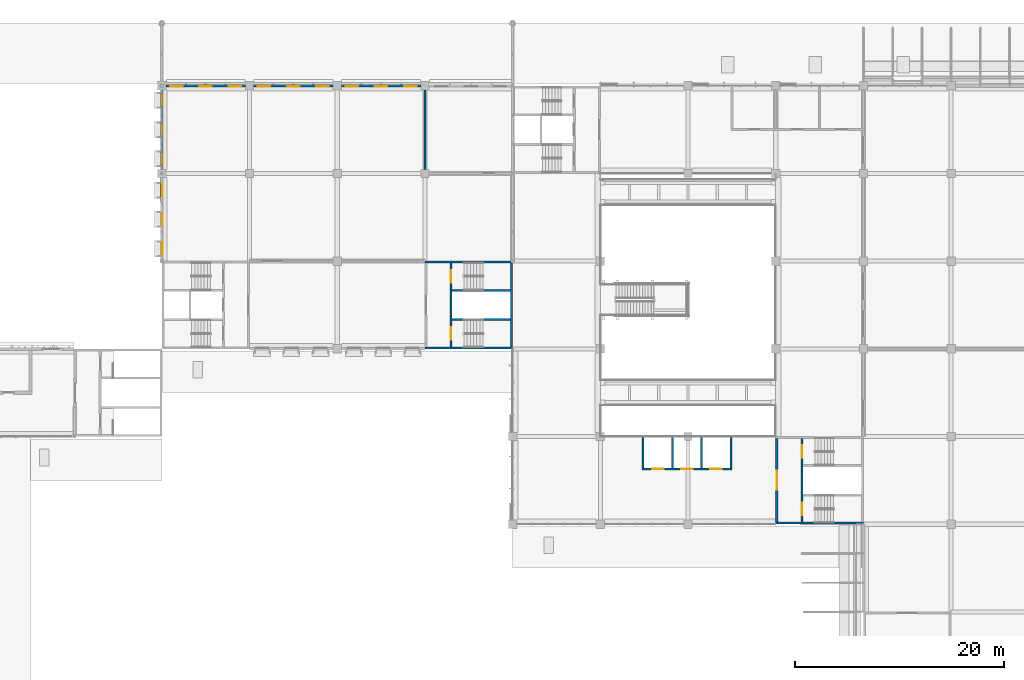
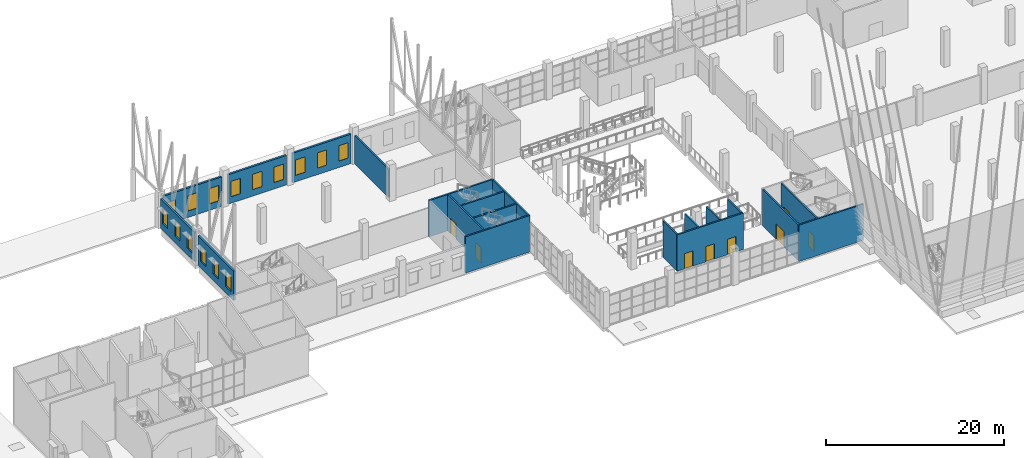
# One storey, part 36 of 101: 20 walls, 15 windows, 8 doors, 23 openings.
"""IFC4 building model written with IfcOpenShell, lengths in metres."""

from ifc_helpers import new_model, si_unit, direction, frame, frame_2d, origin, place, context, subcontext, project, spatial, rectangle, extrude, material, layer, layer_set, type_object, element, fill, save


model = new_model("IFC4")

# Units and contexts
model_context = context("Model", 3, precision=1e-05, world=origin(), true_north=direction((0.0, 1.0)))
body_context = subcontext(model_context, "Body", "Model", "MODEL_VIEW")
ifc_project = project(units=[si_unit("LENGTHUNIT", "METRE"), si_unit("AREAUNIT", "SQUARE_METRE"), si_unit("VOLUMEUNIT", "CUBIC_METRE"), si_unit("PLANEANGLEUNIT", "RADIAN"), si_unit("MASSUNIT", "GRAM", prefix="KILO")], contexts=[model_context])

# Site, building, storey
site_placement = place(None, origin())
site = spatial("IfcSite", under=ifc_project, at=site_placement, CompositionType="ELEMENT")
building_placement = place(site_placement, origin())
building = spatial("IfcBuilding", under=site, at=building_placement, Name="Almond Square Museum", CompositionType="ELEMENT")
storey_placement = place(building_placement, frame((0.0, 0.0, 5.5)))
storey = spatial("IfcBuildingStorey", under=building, at=storey_placement, Name="L01", CompositionType="ELEMENT", Elevation=5.5)

# Wall
ifc_material_1 = material(Name="Concrete blockwork 200", Category="masonry")
ifc_layer_1 = layer(ifc_material_1, 0.199951171875)
ifc_layer_set_1 = layer_set([ifc_layer_1], Name="Concrete blockwork 200")
wall_type_1 = type_object("IfcWallType", Name="Fire partition 200 blockwork", PredefinedType="PARTITIONING", material=ifc_layer_set_1)
wall_1_placement = place(storey_placement, frame((64.800048828125, 101.199951171875, 0.0), z_axis=(0.0, 0.0, 1.0), x_axis=(0.0, 1.0, 0.0)))
element("IfcWall", 1, at=wall_1_placement, inside=storey, type_object=wall_type_1, Name="L01 partition 2", PredefinedType="PARTITIONING", context=body_context, shape_type="SweptSolid", body=[
    extrude(rectangle(XDim=7.60009765625, YDim=0.199951171875, at=frame_2d((3.800048828125, 0.0))), origin(), (0.0, 0.0, 1.0), 3.89990234375),
])

# Wall, openings, windows
ifc_material_2 = material(Name="Precast concrete C40/50", Category="concrete")
ifc_layer_2 = layer(ifc_material_2, 0.25)
ifc_layer_set_2 = layer_set([ifc_layer_2], Name="Precast concrete C40/50")
wall_type_2 = type_object("IfcWallType", Name="Precast concrete panel wall 250 with coral limestone piers", PredefinedType="SOLIDWALL", material=ifc_layer_set_2)
wall_2_placement = place(storey_placement, frame((56.800048828125, 109.199951171875, 0.0), z_axis=(0.0, 0.0, 1.0), x_axis=(1.0, 0.0, 0.0)))
wall_2 = element("IfcWall", 2, at=wall_2_placement, inside=storey, type_object=wall_type_2, Name="External wall W2 V4N L01 N02", PredefinedType="SOLIDWALL", context=body_context, shape_type="SweptSolid", body=[
    extrude(rectangle(XDim=7.599853515625, YDim=0.25, at=frame_2d((3.7998046875, 0.0))), origin(), (0.0, 0.0, 1.0), 4.050048828125),
])
opening_1_placement = place(wall_2_placement, frame((0.39990234375, 0.0, 0.89990234375)))
opening_1 = element("IfcOpeningElement", 3, at=opening_1_placement, cuts=wall_2, Name="Opening W1087", PredefinedType="OPENING", context=body_context, shape_type="SweptSolid", body=[
    extrude(rectangle(XDim=1.199951171875, YDim=2.10009765625, at=frame_2d((0.60009765625, 1.050048828125))), frame((0.0, 0.135009765625, 0.0), z_axis=(0.0, -1.0, 0.0), x_axis=(1.0, 0.0, 0.0)), (0.0, 0.0, 1.0), 0.27001953125),
])
opening_2_placement = place(wall_2_placement, frame((3.199951171875, 0.0, 0.89990234375)))
opening_2 = element("IfcOpeningElement", 4, at=opening_2_placement, cuts=wall_2, Name="Opening W1088", PredefinedType="OPENING", context=body_context, shape_type="SweptSolid", body=[
    extrude(rectangle(XDim=1.199951171875, YDim=2.10009765625, at=frame_2d((0.60009765625, 1.050048828125))), frame((0.0, 0.135009765625, 0.0), z_axis=(0.0, -1.0, 0.0), x_axis=(1.0, 0.0, 0.0)), (0.0, 0.0, 1.0), 0.27001953125),
])
opening_3_placement = place(wall_2_placement, frame((6.0, 0.0, 0.89990234375)))
opening_3 = element("IfcOpeningElement", 5, at=opening_3_placement, cuts=wall_2, Name="Opening W1089", PredefinedType="OPENING", context=body_context, shape_type="SweptSolid", body=[
    extrude(rectangle(XDim=1.199951171875, YDim=2.10009765625, at=frame_2d((0.60009765625, 1.050048828125))), frame((0.0, 0.135009765625, 0.0), z_axis=(0.0, -1.0, 0.0), x_axis=(1.0, 0.0, 0.0)), (0.0, 0.0, 1.0), 0.27001953125),
])
ifc_material_3 = material(Name="Anodised aluminium louvre and laminated glass", Category="aluminium")
window_type = type_object("IfcWindowType", Name="Louvred pier window", PartitioningType="SINGLE_PANEL", PredefinedType="WINDOW", material=ifc_material_3)
window_1_placement = place(opening_1_placement, origin())
window_1 = element("IfcWindow", 6, at=window_1_placement, inside=storey, type_object=window_type, Name="Louvred pier window W1087", OverallHeight=2.10009765625, OverallWidth=1.199951171875, PartitioningType="SINGLE_PANEL", PredefinedType="WINDOW", context=body_context, shape_type="SweptSolid", body=[
    extrude(rectangle(XDim=1.199951171875, YDim=2.10009765625, at=frame_2d((0.60009765625, 1.050048828125))), frame((0.0, -0.044921875, 0.0), z_axis=(0.0, -1.0, 0.0), x_axis=(1.0, 0.0, 0.0)), (0.0, 0.0, 1.0), 0.06005859375),
])
fill(opening_1, window_1)
window_2_placement = place(opening_2_placement, origin())
window_2 = element("IfcWindow", 7, at=window_2_placement, inside=storey, type_object=window_type, Name="Louvred pier window W1088", OverallHeight=2.10009765625, OverallWidth=1.199951171875, PartitioningType="SINGLE_PANEL", PredefinedType="WINDOW", context=body_context, shape_type="SweptSolid", body=[
    extrude(rectangle(XDim=1.199951171875, YDim=2.10009765625, at=frame_2d((0.60009765625, 1.050048828125))), frame((0.0, -0.044921875, 0.0), z_axis=(0.0, -1.0, 0.0), x_axis=(1.0, 0.0, 0.0)), (0.0, 0.0, 1.0), 0.06005859375),
])
fill(opening_2, window_2)
window_3_placement = place(opening_3_placement, origin())
window_3 = element("IfcWindow", 8, at=window_3_placement, inside=storey, type_object=window_type, Name="Louvred pier window W1089", OverallHeight=2.10009765625, OverallWidth=1.199951171875, PartitioningType="SINGLE_PANEL", PredefinedType="WINDOW", context=body_context, shape_type="SweptSolid", body=[
    extrude(rectangle(XDim=1.199951171875, YDim=2.10009765625, at=frame_2d((0.60009765625, 1.050048828125))), frame((0.0, -0.044921875, 0.0), z_axis=(0.0, -1.0, 0.0), x_axis=(1.0, 0.0, 0.0)), (0.0, 0.0, 1.0), 0.06005859375),
])
fill(opening_3, window_3)

wall_3_placement = place(storey_placement, frame((48.39990234375, 109.199951171875, 0.0), z_axis=(0.0, 0.0, 1.0), x_axis=(1.0, 0.0, 0.0)))
wall_3 = element("IfcWall", 9, at=wall_3_placement, inside=storey, type_object=wall_type_2, Name="External wall W2 V4N L01 N03", PredefinedType="SOLIDWALL", context=body_context, shape_type="SweptSolid", body=[
    extrude(rectangle(XDim=7.60009765625, YDim=0.25, at=frame_2d((3.800048828125, 0.0))), origin(), (0.0, 0.0, 1.0), 4.050048828125),
])
opening_4_placement = place(wall_3_placement, frame((0.39990234375, 0.0, 0.89990234375)))
opening_4 = element("IfcOpeningElement", 10, at=opening_4_placement, cuts=wall_3, Name="Opening W1090", PredefinedType="OPENING", context=body_context, shape_type="SweptSolid", body=[
    extrude(rectangle(XDim=1.199951171875, YDim=2.10009765625, at=frame_2d((0.60009765625, 1.050048828125))), frame((0.0, 0.135009765625, 0.0), z_axis=(0.0, -1.0, 0.0), x_axis=(1.0, 0.0, 0.0)), (0.0, 0.0, 1.0), 0.27001953125),
])
opening_5_placement = place(wall_3_placement, frame((3.199951171875, 0.0, 0.89990234375)))
opening_5 = element("IfcOpeningElement", 11, at=opening_5_placement, cuts=wall_3, Name="Opening W1091", PredefinedType="OPENING", context=body_context, shape_type="SweptSolid", body=[
    extrude(rectangle(XDim=1.199951171875, YDim=2.10009765625, at=frame_2d((0.60009765625, 1.050048828125))), frame((0.0, 0.135009765625, 0.0), z_axis=(0.0, -1.0, 0.0), x_axis=(1.0, 0.0, 0.0)), (0.0, 0.0, 1.0), 0.27001953125),
])
opening_6_placement = place(wall_3_placement, frame((6.0, 0.0, 0.89990234375)))
opening_6 = element("IfcOpeningElement", 12, at=opening_6_placement, cuts=wall_3, Name="Opening W1092", PredefinedType="OPENING", context=body_context, shape_type="SweptSolid", body=[
    extrude(rectangle(XDim=1.199951171875, YDim=2.10009765625, at=frame_2d((0.60009765625, 1.050048828125))), frame((0.0, 0.135009765625, 0.0), z_axis=(0.0, -1.0, 0.0), x_axis=(1.0, 0.0, 0.0)), (0.0, 0.0, 1.0), 0.27001953125),
])
window_4_placement = place(opening_4_placement, origin())
window_4 = element("IfcWindow", 13, at=window_4_placement, inside=storey, type_object=window_type, Name="Louvred pier window W1090", OverallHeight=2.10009765625, OverallWidth=1.199951171875, PartitioningType="SINGLE_PANEL", PredefinedType="WINDOW", context=body_context, shape_type="SweptSolid", body=[
    extrude(rectangle(XDim=1.199951171875, YDim=2.10009765625, at=frame_2d((0.60009765625, 1.050048828125))), frame((0.0, -0.044921875, 0.0), z_axis=(0.0, -1.0, 0.0), x_axis=(1.0, 0.0, 0.0)), (0.0, 0.0, 1.0), 0.06005859375),
])
fill(opening_4, window_4)
window_5_placement = place(opening_5_placement, origin())
window_5 = element("IfcWindow", 14, at=window_5_placement, inside=storey, type_object=window_type, Name="Louvred pier window W1091", OverallHeight=2.10009765625, OverallWidth=1.199951171875, PartitioningType="SINGLE_PANEL", PredefinedType="WINDOW", context=body_context, shape_type="SweptSolid", body=[
    extrude(rectangle(XDim=1.199951171875, YDim=2.10009765625, at=frame_2d((0.60009765625, 1.050048828125))), frame((0.0, -0.044921875, 0.0), z_axis=(0.0, -1.0, 0.0), x_axis=(1.0, 0.0, 0.0)), (0.0, 0.0, 1.0), 0.06005859375),
])
fill(opening_5, window_5)
window_6_placement = place(opening_6_placement, origin())
window_6 = element("IfcWindow", 15, at=window_6_placement, inside=storey, type_object=window_type, Name="Louvred pier window W1092", OverallHeight=2.10009765625, OverallWidth=1.199951171875, PartitioningType="SINGLE_PANEL", PredefinedType="WINDOW", context=body_context, shape_type="SweptSolid", body=[
    extrude(rectangle(XDim=1.199951171875, YDim=2.10009765625, at=frame_2d((0.60009765625, 1.050048828125))), frame((0.0, -0.044921875, 0.0), z_axis=(0.0, -1.0, 0.0), x_axis=(1.0, 0.0, 0.0)), (0.0, 0.0, 1.0), 0.06005859375),
])
fill(opening_6, window_6)

wall_4_placement = place(storey_placement, frame((40.0, 109.199951171875, 0.0), z_axis=(0.0, 0.0, 1.0), x_axis=(1.0, 0.0, 0.0)))
wall_4 = element("IfcWall", 16, at=wall_4_placement, inside=storey, type_object=wall_type_2, Name="External wall W2 V4N L01 N04", PredefinedType="SOLIDWALL", context=body_context, shape_type="SweptSolid", body=[
    extrude(rectangle(XDim=7.60009765625, YDim=0.25, at=frame_2d((3.800048828125, 0.0))), origin(), (0.0, 0.0, 1.0), 4.050048828125),
])
opening_7_placement = place(wall_4_placement, frame((0.39990234375, 0.0, 0.89990234375)))
opening_7 = element("IfcOpeningElement", 17, at=opening_7_placement, cuts=wall_4, Name="Opening W1093", PredefinedType="OPENING", context=body_context, shape_type="SweptSolid", body=[
    extrude(rectangle(XDim=1.199951171875, YDim=2.10009765625, at=frame_2d((0.60009765625, 1.050048828125))), frame((0.0, 0.135009765625, 0.0), z_axis=(0.0, -1.0, 0.0), x_axis=(1.0, 0.0, 0.0)), (0.0, 0.0, 1.0), 0.27001953125),
])
opening_8_placement = place(wall_4_placement, frame((3.199951171875, 0.0, 0.89990234375)))
opening_8 = element("IfcOpeningElement", 18, at=opening_8_placement, cuts=wall_4, Name="Opening W1094", PredefinedType="OPENING", context=body_context, shape_type="SweptSolid", body=[
    extrude(rectangle(XDim=1.199951171875, YDim=2.10009765625, at=frame_2d((0.60009765625, 1.050048828125))), frame((0.0, 0.135009765625, 0.0), z_axis=(0.0, -1.0, 0.0), x_axis=(1.0, 0.0, 0.0)), (0.0, 0.0, 1.0), 0.27001953125),
])
opening_9_placement = place(wall_4_placement, frame((6.0, 0.0, 0.89990234375)))
opening_9 = element("IfcOpeningElement", 19, at=opening_9_placement, cuts=wall_4, Name="Opening W1095", PredefinedType="OPENING", context=body_context, shape_type="SweptSolid", body=[
    extrude(rectangle(XDim=1.199951171875, YDim=2.10009765625, at=frame_2d((0.60009765625, 1.050048828125))), frame((0.0, 0.135009765625, 0.0), z_axis=(0.0, -1.0, 0.0), x_axis=(1.0, 0.0, 0.0)), (0.0, 0.0, 1.0), 0.27001953125),
])
window_7_placement = place(opening_7_placement, origin())
window_7 = element("IfcWindow", 20, at=window_7_placement, inside=storey, type_object=window_type, Name="Louvred pier window W1093", OverallHeight=2.10009765625, OverallWidth=1.199951171875, PartitioningType="SINGLE_PANEL", PredefinedType="WINDOW", context=body_context, shape_type="SweptSolid", body=[
    extrude(rectangle(XDim=1.199951171875, YDim=2.10009765625, at=frame_2d((0.60009765625, 1.050048828125))), frame((0.0, -0.044921875, 0.0), z_axis=(0.0, -1.0, 0.0), x_axis=(1.0, 0.0, 0.0)), (0.0, 0.0, 1.0), 0.06005859375),
])
fill(opening_7, window_7)
window_8_placement = place(opening_8_placement, origin())
window_8 = element("IfcWindow", 21, at=window_8_placement, inside=storey, type_object=window_type, Name="Louvred pier window W1094", OverallHeight=2.10009765625, OverallWidth=1.199951171875, PartitioningType="SINGLE_PANEL", PredefinedType="WINDOW", context=body_context, shape_type="SweptSolid", body=[
    extrude(rectangle(XDim=1.199951171875, YDim=2.10009765625, at=frame_2d((0.60009765625, 1.050048828125))), frame((0.0, -0.044921875, 0.0), z_axis=(0.0, -1.0, 0.0), x_axis=(1.0, 0.0, 0.0)), (0.0, 0.0, 1.0), 0.06005859375),
])
fill(opening_8, window_8)
window_9_placement = place(opening_9_placement, origin())
window_9 = element("IfcWindow", 22, at=window_9_placement, inside=storey, type_object=window_type, Name="Louvred pier window W1095", OverallHeight=2.10009765625, OverallWidth=1.199951171875, PartitioningType="SINGLE_PANEL", PredefinedType="WINDOW", context=body_context, shape_type="SweptSolid", body=[
    extrude(rectangle(XDim=1.199951171875, YDim=2.10009765625, at=frame_2d((0.60009765625, 1.050048828125))), frame((0.0, -0.044921875, 0.0), z_axis=(0.0, -1.0, 0.0), x_axis=(1.0, 0.0, 0.0)), (0.0, 0.0, 1.0), 0.06005859375),
])
fill(opening_9, window_9)

wall_5_placement = place(storey_placement, frame((39.60009765625, 101.199951171875, 0.0), z_axis=(0.0, 0.0, 1.0), x_axis=(0.0, 1.0, 0.0)))
wall_5 = element("IfcWall", 23, at=wall_5_placement, inside=storey, type_object=wall_type_2, Name="External wall W2 V4N L01 W01", PredefinedType="SOLIDWALL", context=body_context, shape_type="SweptSolid", body=[
    extrude(rectangle(XDim=7.60009765625, YDim=0.25, at=frame_2d((3.800048828125, 0.0))), origin(), (0.0, 0.0, 1.0), 4.050048828125),
])
opening_10_placement = place(wall_5_placement, frame((0.39990234375, 0.0, 0.89990234375)))
opening_10 = element("IfcOpeningElement", 24, at=opening_10_placement, cuts=wall_5, Name="Opening W1096", PredefinedType="OPENING", context=body_context, shape_type="SweptSolid", body=[
    extrude(rectangle(XDim=1.199951171875, YDim=2.10009765625, at=frame_2d((0.60009765625, 1.050048828125))), frame((0.0, 0.135009765625, 0.0), z_axis=(0.0, -1.0, 0.0), x_axis=(1.0, 0.0, 0.0)), (0.0, 0.0, 1.0), 0.27001953125),
])
opening_11_placement = place(wall_5_placement, frame((3.199951171875, 0.0, 0.89990234375)))
opening_11 = element("IfcOpeningElement", 25, at=opening_11_placement, cuts=wall_5, Name="Opening W1097", PredefinedType="OPENING", context=body_context, shape_type="SweptSolid", body=[
    extrude(rectangle(XDim=1.199951171875, YDim=2.10009765625, at=frame_2d((0.60009765625, 1.050048828125))), frame((0.0, 0.135009765625, 0.0), z_axis=(0.0, -1.0, 0.0), x_axis=(1.0, 0.0, 0.0)), (0.0, 0.0, 1.0), 0.27001953125),
])
opening_12_placement = place(wall_5_placement, frame((6.0, 0.0, 0.89990234375)))
opening_12 = element("IfcOpeningElement", 26, at=opening_12_placement, cuts=wall_5, Name="Opening W1098", PredefinedType="OPENING", context=body_context, shape_type="SweptSolid", body=[
    extrude(rectangle(XDim=1.199951171875, YDim=2.10009765625, at=frame_2d((0.60009765625, 1.050048828125))), frame((0.0, 0.135009765625, 0.0), z_axis=(0.0, -1.0, 0.0), x_axis=(1.0, 0.0, 0.0)), (0.0, 0.0, 1.0), 0.27001953125),
])
window_10_placement = place(opening_10_placement, origin())
window_10 = element("IfcWindow", 27, at=window_10_placement, inside=storey, type_object=window_type, Name="Louvred pier window W1096", OverallHeight=2.10009765625, OverallWidth=1.199951171875, PartitioningType="SINGLE_PANEL", PredefinedType="WINDOW", context=body_context, shape_type="SweptSolid", body=[
    extrude(rectangle(XDim=1.199951171875, YDim=2.10009765625, at=frame_2d((0.60009765625, 1.050048828125))), frame((0.0, -0.044921875, 0.0), z_axis=(0.0, -1.0, 0.0), x_axis=(1.0, 0.0, 0.0)), (0.0, 0.0, 1.0), 0.06005859375),
])
fill(opening_10, window_10)
window_11_placement = place(opening_11_placement, origin())
window_11 = element("IfcWindow", 28, at=window_11_placement, inside=storey, type_object=window_type, Name="Louvred pier window W1097", OverallHeight=2.10009765625, OverallWidth=1.199951171875, PartitioningType="SINGLE_PANEL", PredefinedType="WINDOW", context=body_context, shape_type="SweptSolid", body=[
    extrude(rectangle(XDim=1.199951171875, YDim=2.10009765625, at=frame_2d((0.60009765625, 1.050048828125))), frame((0.0, -0.044921875, 0.0), z_axis=(0.0, -1.0, 0.0), x_axis=(1.0, 0.0, 0.0)), (0.0, 0.0, 1.0), 0.06005859375),
])
fill(opening_11, window_11)
window_12_placement = place(opening_12_placement, origin())
window_12 = element("IfcWindow", 29, at=window_12_placement, inside=storey, type_object=window_type, Name="Louvred pier window W1098", OverallHeight=2.10009765625, OverallWidth=1.199951171875, PartitioningType="SINGLE_PANEL", PredefinedType="WINDOW", context=body_context, shape_type="SweptSolid", body=[
    extrude(rectangle(XDim=1.199951171875, YDim=2.10009765625, at=frame_2d((0.60009765625, 1.050048828125))), frame((0.0, -0.044921875, 0.0), z_axis=(0.0, -1.0, 0.0), x_axis=(1.0, 0.0, 0.0)), (0.0, 0.0, 1.0), 0.06005859375),
])
fill(opening_12, window_12)

wall_6_placement = place(storey_placement, frame((39.60009765625, 92.39990234375, 0.0), z_axis=(0.0, 0.0, 1.0), x_axis=(0.0, 1.0, 0.0)))
wall_6 = element("IfcWall", 30, at=wall_6_placement, inside=storey, type_object=wall_type_2, Name="External wall W2 V4N L01 W02", PredefinedType="SOLIDWALL", context=body_context, shape_type="SweptSolid", body=[
    extrude(rectangle(XDim=8.0, YDim=0.25, at=frame_2d((4.0, 0.0))), origin(), (0.0, 0.0, 1.0), 4.050048828125),
])
opening_13_placement = place(wall_6_placement, frame((0.60009765625, 0.0, 0.89990234375)))
opening_13 = element("IfcOpeningElement", 31, at=opening_13_placement, cuts=wall_6, Name="Opening W1099", PredefinedType="OPENING", context=body_context, shape_type="SweptSolid", body=[
    extrude(rectangle(XDim=1.199951171875, YDim=2.10009765625, at=frame_2d((0.60009765625, 1.050048828125))), frame((0.0, 0.135009765625, 0.0), z_axis=(0.0, -1.0, 0.0), x_axis=(1.0, 0.0, 0.0)), (0.0, 0.0, 1.0), 0.27001953125),
])
opening_14_placement = place(wall_6_placement, frame((3.39990234375, 0.0, 0.89990234375)))
opening_14 = element("IfcOpeningElement", 32, at=opening_14_placement, cuts=wall_6, Name="Opening W1100", PredefinedType="OPENING", context=body_context, shape_type="SweptSolid", body=[
    extrude(rectangle(XDim=1.199951171875, YDim=2.10009765625, at=frame_2d((0.60009765625, 1.050048828125))), frame((0.0, 0.135009765625, 0.0), z_axis=(0.0, -1.0, 0.0), x_axis=(1.0, 0.0, 0.0)), (0.0, 0.0, 1.0), 0.27001953125),
])
opening_15_placement = place(wall_6_placement, frame((6.199951171875, 0.0, 0.89990234375)))
opening_15 = element("IfcOpeningElement", 33, at=opening_15_placement, cuts=wall_6, Name="Opening W1101", PredefinedType="OPENING", context=body_context, shape_type="SweptSolid", body=[
    extrude(rectangle(XDim=1.199951171875, YDim=2.10009765625, at=frame_2d((0.60009765625, 1.050048828125))), frame((0.0, 0.135009765625, 0.0), z_axis=(0.0, -1.0, 0.0), x_axis=(1.0, 0.0, 0.0)), (0.0, 0.0, 1.0), 0.27001953125),
])
window_13_placement = place(opening_13_placement, origin())
window_13 = element("IfcWindow", 34, at=window_13_placement, inside=storey, type_object=window_type, Name="Louvred pier window W1099", OverallHeight=2.10009765625, OverallWidth=1.199951171875, PartitioningType="SINGLE_PANEL", PredefinedType="WINDOW", context=body_context, shape_type="SweptSolid", body=[
    extrude(rectangle(XDim=1.199951171875, YDim=2.10009765625, at=frame_2d((0.60009765625, 1.050048828125))), frame((0.0, -0.044921875, 0.0), z_axis=(0.0, -1.0, 0.0), x_axis=(1.0, 0.0, 0.0)), (0.0, 0.0, 1.0), 0.06005859375),
])
fill(opening_13, window_13)
window_14_placement = place(opening_14_placement, origin())
window_14 = element("IfcWindow", 35, at=window_14_placement, inside=storey, type_object=window_type, Name="Louvred pier window W1100", OverallHeight=2.10009765625, OverallWidth=1.199951171875, PartitioningType="SINGLE_PANEL", PredefinedType="WINDOW", context=body_context, shape_type="SweptSolid", body=[
    extrude(rectangle(XDim=1.199951171875, YDim=2.10009765625, at=frame_2d((0.60009765625, 1.050048828125))), frame((0.0, -0.044921875, 0.0), z_axis=(0.0, -1.0, 0.0), x_axis=(1.0, 0.0, 0.0)), (0.0, 0.0, 1.0), 0.06005859375),
])
fill(opening_14, window_14)
window_15_placement = place(opening_15_placement, origin())
window_15 = element("IfcWindow", 36, at=window_15_placement, inside=storey, type_object=window_type, Name="Louvred pier window W1101", OverallHeight=2.10009765625, OverallWidth=1.199951171875, PartitioningType="SINGLE_PANEL", PredefinedType="WINDOW", context=body_context, shape_type="SweptSolid", body=[
    extrude(rectangle(XDim=1.199951171875, YDim=2.10009765625, at=frame_2d((0.60009765625, 1.050048828125))), frame((0.0, -0.044921875, 0.0), z_axis=(0.0, -1.0, 0.0), x_axis=(1.0, 0.0, 0.0)), (0.0, 0.0, 1.0), 0.06005859375),
])
fill(opening_15, window_15)

# Wall
ifc_material_4 = material(Name="Concrete C40/50", Category="concrete")
ifc_layer_3 = layer(ifc_material_4, 0.199951171875)
ifc_layer_set_3 = layer_set([ifc_layer_3], Name="Concrete C40/50")
wall_type_3 = type_object("IfcWallType", Name="RC shear wall 200 C40/50", PredefinedType="SHEAR", material=ifc_layer_set_3)
wall_7_placement = place(storey_placement, frame((98.39990234375, 67.300048828125, 0.0), z_axis=(0.0, 0.0, 1.0), x_axis=(1.0, 0.0, 0.0)))
element("IfcWall", 37, at=wall_7_placement, inside=storey, type_object=wall_type_3, Name="Core A2 south wall L01", PredefinedType="SHEAR", context=body_context, shape_type="SweptSolid", body=[
    extrude(rectangle(XDim=8.400146484375, YDim=0.199951171875, at=frame_2d((4.2001953125, 0.0))), origin(), (0.0, 0.0, 1.0), 5.0),
])

# Wall, opening, door
wall_8_placement = place(storey_placement, frame((98.5, 67.39990234375, 0.0), z_axis=(0.0, 0.0, 1.0), x_axis=(0.0, 1.0, 0.0)))
wall_8 = element("IfcWall", 38, at=wall_8_placement, inside=storey, type_object=wall_type_3, Name="Core A2 west wall L01", PredefinedType="SHEAR", context=body_context, shape_type="SweptSolid", body=[
    extrude(rectangle(XDim=8.0, YDim=0.199951171875, at=frame_2d((4.0, 0.0))), origin(), (0.0, 0.0, 1.0), 5.0),
])
opening_16_placement = place(wall_8_placement, frame((3.10009765625, 0.0, 0.0)))
opening_16 = element("IfcOpeningElement", 39, at=opening_16_placement, cuts=wall_8, Name="Opening D1169", PredefinedType="OPENING", context=body_context, shape_type="SweptSolid", body=[
    extrude(rectangle(XDim=1.800048828125, YDim=2.10009765625, at=frame_2d((0.89990234375, 1.050048828125))), frame((0.0, 0.10986328125, 0.0), z_axis=(0.0, -1.0, 0.0), x_axis=(1.0, 0.0, 0.0)), (0.0, 0.0, 1.0), 0.219970703125),
])
ifc_material_5 = material(Name="Steel", Category="steel")
door_type_1 = type_object("IfcDoorType", Name="Fire door 1800 x 2100 FD60 double", OperationType="NOTDEFINED", PredefinedType="DOOR", material=ifc_material_5)
door_1_placement = place(opening_16_placement, origin())
door_1 = element("IfcDoor", 40, at=door_1_placement, inside=storey, type_object=door_type_1, Name="L01 stair core A2 lobby door", OperationType="DOUBLE_DOOR_SINGLE_SWING", OverallHeight=2.10009765625, OverallWidth=1.800048828125, PredefinedType="DOOR", context=body_context, shape_type="SweptSolid", body=[
    extrude(rectangle(XDim=1.800048828125, YDim=2.10009765625, at=frame_2d((0.89990234375, 1.050048828125))), frame((0.0, 0.02490234375, 0.0), z_axis=(0.0, -1.0, 0.0), x_axis=(1.0, 0.0, 0.0)), (0.0, 0.0, 1.0), 0.050048828125),
])
fill(opening_16, door_1)

# Wall, openings, doors
wall_9_placement = place(storey_placement, frame((100.89990234375, 67.39990234375, 0.0), z_axis=(0.0, 0.0, 1.0), x_axis=(0.0, 1.0, 0.0)))
wall_9 = element("IfcWall", 41, at=wall_9_placement, inside=storey, type_object=wall_type_3, Name="Core A2 lobby wall L01", PredefinedType="SHEAR", context=body_context, shape_type="SweptSolid", body=[
    extrude(rectangle(XDim=8.0, YDim=0.199951171875, at=frame_2d((4.0, 0.0))), origin(), (0.0, 0.0, 1.0), 5.0),
])
opening_17_placement = place(wall_9_placement, frame((0.64990234375, 0.0, 0.0)))
opening_17 = element("IfcOpeningElement", 42, at=opening_17_placement, cuts=wall_9, Name="Opening D1170", PredefinedType="OPENING", context=body_context, shape_type="SweptSolid", body=[
    extrude(rectangle(XDim=1.199951171875, YDim=2.10009765625, at=frame_2d((0.60009765625, 1.050048828125))), frame((0.0, 0.10986328125, 0.0), z_axis=(0.0, -1.0, 0.0), x_axis=(1.0, 0.0, 0.0)), (0.0, 0.0, 1.0), 0.219970703125),
])
opening_18_placement = place(wall_9_placement, frame((6.14990234375, 0.0, 0.0)))
opening_18 = element("IfcOpeningElement", 43, at=opening_18_placement, cuts=wall_9, Name="Opening D1171", PredefinedType="OPENING", context=body_context, shape_type="SweptSolid", body=[
    extrude(rectangle(XDim=1.199951171875, YDim=2.10009765625, at=frame_2d((0.60009765625, 1.050048828125))), frame((0.0, 0.10986328125, 0.0), z_axis=(0.0, -1.0, 0.0), x_axis=(1.0, 0.0, 0.0)), (0.0, 0.0, 1.0), 0.219970703125),
])
ifc_material_6 = material(Name="Steel", Category="steel")
door_type_2 = type_object("IfcDoorType", Name="Fire door 1200 x 2100 FD120 stair", OperationType="NOTDEFINED", PredefinedType="DOOR", material=ifc_material_6)
door_2_placement = place(opening_17_placement, origin())
door_2 = element("IfcDoor", 44, at=door_2_placement, inside=storey, type_object=door_type_2, Name="L01 stair A2-1 door", OperationType="SINGLE_SWING_LEFT", OverallHeight=2.10009765625, OverallWidth=1.199951171875, PredefinedType="DOOR", context=body_context, shape_type="SweptSolid", body=[
    extrude(rectangle(XDim=1.199951171875, YDim=2.10009765625, at=frame_2d((0.60009765625, 1.050048828125))), frame((0.0, 0.02490234375, 0.0), z_axis=(0.0, -1.0, 0.0), x_axis=(1.0, 0.0, 0.0)), (0.0, 0.0, 1.0), 0.050048828125),
])
fill(opening_17, door_2)
door_3_placement = place(opening_18_placement, origin())
door_3 = element("IfcDoor", 45, at=door_3_placement, inside=storey, type_object=door_type_2, Name="L01 stair A2-2 door", OperationType="SINGLE_SWING_RIGHT", OverallHeight=2.10009765625, OverallWidth=1.199951171875, PredefinedType="DOOR", context=body_context, shape_type="SweptSolid", body=[
    extrude(rectangle(XDim=1.199951171875, YDim=2.10009765625, at=frame_2d((0.60009765625, 1.050048828125))), frame((0.0, 0.02490234375, 0.0), z_axis=(0.0, -1.0, 0.0), x_axis=(1.0, 0.0, 0.0)), (0.0, 0.0, 1.0), 0.050048828125),
])
fill(opening_18, door_3)

# Walls
for number, where, z_axis, x_axis, name in (
    (46, (64.800048828125, 84.10009765625, 0.0), (0.0, 0.0, 1.0), (1.0, 0.0, 0.0), "Core N2 south wall L01"),
    (47, (64.800048828125, 92.300048828125, 0.0), (0.0, 0.0, 1.0), (1.0, 0.0, 0.0), "Core N2 north wall L01"),
):
    element("IfcWall", number, at=place(storey_placement, frame(where, z_axis=z_axis, x_axis=x_axis)), inside=storey, type_object=wall_type_3, Name=name, PredefinedType="SHEAR", context=body_context, shape_type="SweptSolid", body=[
        extrude(rectangle(XDim=8.39990234375, YDim=0.199951171875, at=frame_2d((4.199951171875, 0.0))), origin(), (0.0, 0.0, 1.0), 5.0),
    ])
wall_10_placement = place(storey_placement, frame((73.10009765625, 84.199951171875, 0.0), z_axis=(0.0, 0.0, 1.0), x_axis=(0.0, 1.0, 0.0)))
element("IfcWall", 48, at=wall_10_placement, inside=storey, type_object=wall_type_3, Name="Core N2 east wall L01", PredefinedType="SHEAR", context=body_context, shape_type="SweptSolid", body=[
    extrude(rectangle(XDim=8.0, YDim=0.199951171875, at=frame_2d((4.0, 0.0))), origin(), (0.0, 0.0, 1.0), 5.0),
])

# Wall, openings, doors
wall_11_placement = place(storey_placement, frame((67.300048828125, 84.199951171875, 0.0), z_axis=(0.0, 0.0, 1.0), x_axis=(0.0, 1.0, 0.0)))
wall_11 = element("IfcWall", 49, at=wall_11_placement, inside=storey, type_object=wall_type_3, Name="Core N2 lobby wall L01", PredefinedType="SHEAR", context=body_context, shape_type="SweptSolid", body=[
    extrude(rectangle(XDim=8.0, YDim=0.199951171875, at=frame_2d((4.0, 0.0))), origin(), (0.0, 0.0, 1.0), 5.0),
])
opening_19_placement = place(wall_11_placement, frame((0.64990234375, 0.0, 0.0)))
opening_19 = element("IfcOpeningElement", 50, at=opening_19_placement, cuts=wall_11, Name="Opening D1184", PredefinedType="OPENING", context=body_context, shape_type="SweptSolid", body=[
    extrude(rectangle(XDim=1.199951171875, YDim=2.10009765625, at=frame_2d((0.60009765625, 1.050048828125))), frame((0.0, 0.10986328125, 0.0), z_axis=(0.0, -1.0, 0.0), x_axis=(1.0, 0.0, 0.0)), (0.0, 0.0, 1.0), 0.219970703125),
])
opening_20_placement = place(wall_11_placement, frame((6.14990234375, 0.0, 0.0)))
opening_20 = element("IfcOpeningElement", 51, at=opening_20_placement, cuts=wall_11, Name="Opening D1185", PredefinedType="OPENING", context=body_context, shape_type="SweptSolid", body=[
    extrude(rectangle(XDim=1.199951171875, YDim=2.10009765625, at=frame_2d((0.60009765625, 1.050048828125))), frame((0.0, 0.10986328125, 0.0), z_axis=(0.0, -1.0, 0.0), x_axis=(1.0, 0.0, 0.0)), (0.0, 0.0, 1.0), 0.219970703125),
])
door_4_placement = place(opening_19_placement, origin())
door_4 = element("IfcDoor", 52, at=door_4_placement, inside=storey, type_object=door_type_2, Name="L01 stair N2-1 door", OperationType="SINGLE_SWING_LEFT", OverallHeight=2.10009765625, OverallWidth=1.199951171875, PredefinedType="DOOR", context=body_context, shape_type="SweptSolid", body=[
    extrude(rectangle(XDim=1.199951171875, YDim=2.10009765625, at=frame_2d((0.60009765625, 1.050048828125))), frame((0.0, 0.02490234375, 0.0), z_axis=(0.0, -1.0, 0.0), x_axis=(1.0, 0.0, 0.0)), (0.0, 0.0, 1.0), 0.050048828125),
])
fill(opening_19, door_4)
door_5_placement = place(opening_20_placement, origin())
door_5 = element("IfcDoor", 53, at=door_5_placement, inside=storey, type_object=door_type_2, Name="L01 stair N2-2 door", OperationType="SINGLE_SWING_RIGHT", OverallHeight=2.10009765625, OverallWidth=1.199951171875, PredefinedType="DOOR", context=body_context, shape_type="SweptSolid", body=[
    extrude(rectangle(XDim=1.199951171875, YDim=2.10009765625, at=frame_2d((0.60009765625, 1.050048828125))), frame((0.0, 0.02490234375, 0.0), z_axis=(0.0, -1.0, 0.0), x_axis=(1.0, 0.0, 0.0)), (0.0, 0.0, 1.0), 0.050048828125),
])
fill(opening_20, door_5)

# Walls
for number, where, z_axis, x_axis, name in (
    (54, (67.39990234375, 86.800048828125, 0.0), (0.0, 0.0, 1.0), (1.0, 0.0, 0.0), "Core N2 partition wall L01"),
    (55, (67.39990234375, 89.60009765625, 0.0), (0.0, 0.0, 1.0), (1.0, 0.0, 0.0), "Core N2 partition wall L01"),
):
    element("IfcWall", number, at=place(storey_placement, frame(where, z_axis=z_axis, x_axis=x_axis)), inside=storey, type_object=wall_type_3, Name=name, PredefinedType="SHEAR", context=body_context, shape_type="SweptSolid", body=[
        extrude(rectangle(XDim=5.60009765625, YDim=0.199951171875, at=frame_2d((2.800048828125, 0.0))), origin(), (0.0, 0.0, 1.0), 5.0),
    ])

# Wall, openings, doors
wall_12_placement = place(storey_placement, frame((85.60009765625, 72.5, 0.0), z_axis=(0.0, 0.0, 1.0), x_axis=(1.0, 0.0, 0.0)))
wall_12 = element("IfcWall", 56, at=wall_12_placement, inside=storey, type_object=wall_type_3, Name="Atrium lift shaft south wall L01", PredefinedType="SHEAR", context=body_context, shape_type="SweptSolid", body=[
    extrude(rectangle(XDim=8.599853515625, YDim=0.199951171875, at=frame_2d((4.2998046875, 0.0))), origin(), (0.0, 0.0, 1.0), 5.0),
])
opening_21_placement = place(wall_12_placement, frame((0.949951171875, 0.0, 0.0)))
opening_21 = element("IfcOpeningElement", 57, at=opening_21_placement, cuts=wall_12, Name="Opening D1211", PredefinedType="OPENING", context=body_context, shape_type="SweptSolid", body=[
    extrude(rectangle(XDim=1.10009765625, YDim=2.10009765625, at=frame_2d((0.550048828125, 1.050048828125))), frame((0.0, 0.10986328125, 0.0), z_axis=(0.0, -1.0, 0.0), x_axis=(1.0, 0.0, 0.0)), (0.0, 0.0, 1.0), 0.219970703125),
])
opening_22_placement = place(wall_12_placement, frame((3.75, 0.0, 0.0)))
opening_22 = element("IfcOpeningElement", 58, at=opening_22_placement, cuts=wall_12, Name="Opening D1212", PredefinedType="OPENING", context=body_context, shape_type="SweptSolid", body=[
    extrude(rectangle(XDim=1.10009765625, YDim=2.10009765625, at=frame_2d((0.550048828125, 1.050048828125))), frame((0.0, 0.10986328125, 0.0), z_axis=(0.0, -1.0, 0.0), x_axis=(1.0, 0.0, 0.0)), (0.0, 0.0, 1.0), 0.219970703125),
])
opening_23_placement = place(wall_12_placement, frame((6.550048828125, 0.0, 0.0)))
opening_23 = element("IfcOpeningElement", 59, at=opening_23_placement, cuts=wall_12, Name="Opening D1213", PredefinedType="OPENING", context=body_context, shape_type="SweptSolid", body=[
    extrude(rectangle(XDim=1.10009765625, YDim=2.10009765625, at=frame_2d((0.550048828125, 1.050048828125))), frame((0.0, 0.10986328125, 0.0), z_axis=(0.0, -1.0, 0.0), x_axis=(1.0, 0.0, 0.0)), (0.0, 0.0, 1.0), 0.219970703125),
])
ifc_material_7 = material(Name="Stainless steel", Category="steel")
door_type_3 = type_object("IfcDoorType", Name="Lift landing door 1100 x 2100", OperationType="NOTDEFINED", PredefinedType="DOOR", material=ifc_material_7)
door_6_placement = place(opening_21_placement, origin())
door_6 = element("IfcDoor", 60, at=door_6_placement, inside=storey, type_object=door_type_3, Name="L01 atrium lift AL1 landing door", OperationType="DOUBLE_DOOR_SLIDING", OverallHeight=2.10009765625, OverallWidth=1.10009765625, PredefinedType="DOOR", context=body_context, shape_type="SweptSolid", body=[
    extrude(rectangle(XDim=1.10009765625, YDim=2.10009765625, at=frame_2d((0.550048828125, 1.050048828125))), frame((0.0, 0.02490234375, 0.0), z_axis=(0.0, -1.0, 0.0), x_axis=(1.0, 0.0, 0.0)), (0.0, 0.0, 1.0), 0.050048828125),
])
fill(opening_21, door_6)
door_7_placement = place(opening_22_placement, origin())
door_7 = element("IfcDoor", 61, at=door_7_placement, inside=storey, type_object=door_type_3, Name="L01 atrium lift AL2 landing door", OperationType="DOUBLE_DOOR_SLIDING", OverallHeight=2.10009765625, OverallWidth=1.10009765625, PredefinedType="DOOR", context=body_context, shape_type="SweptSolid", body=[
    extrude(rectangle(XDim=1.10009765625, YDim=2.10009765625, at=frame_2d((0.550048828125, 1.050048828125))), frame((0.0, 0.02490234375, 0.0), z_axis=(0.0, -1.0, 0.0), x_axis=(1.0, 0.0, 0.0)), (0.0, 0.0, 1.0), 0.050048828125),
])
fill(opening_22, door_7)
door_8_placement = place(opening_23_placement, origin())
door_8 = element("IfcDoor", 62, at=door_8_placement, inside=storey, type_object=door_type_3, Name="L01 atrium lift AL3 landing door", OperationType="DOUBLE_DOOR_SLIDING", OverallHeight=2.10009765625, OverallWidth=1.10009765625, PredefinedType="DOOR", context=body_context, shape_type="SweptSolid", body=[
    extrude(rectangle(XDim=1.10009765625, YDim=2.10009765625, at=frame_2d((0.550048828125, 1.050048828125))), frame((0.0, 0.02490234375, 0.0), z_axis=(0.0, -1.0, 0.0), x_axis=(1.0, 0.0, 0.0)), (0.0, 0.0, 1.0), 0.050048828125),
])
fill(opening_23, door_8)

# Walls
for number, where, z_axis, x_axis, name in (
    (63, (85.699951171875, 72.60009765625, 0.0), (0.0, 0.0, 1.0), (0.0, 1.0, 0.0), "Atrium lift shaft west wall L01"),
    (64, (94.10009765625, 72.60009765625, 0.0), (0.0, 0.0, 1.0), (0.0, 1.0, 0.0), "Atrium lift shaft east wall L01"),
    (65, (88.5, 72.60009765625, 0.0), (0.0, 0.0, 1.0), (0.0, 1.0, 0.0), "Atrium lift shaft partition wall L01"),
    (66, (91.300048828125, 72.60009765625, 0.0), (0.0, 0.0, 1.0), (0.0, 1.0, 0.0), "Atrium lift shaft partition wall L01"),
):
    element("IfcWall", number, at=place(storey_placement, frame(where, z_axis=z_axis, x_axis=x_axis)), inside=storey, type_object=wall_type_3, Name=name, PredefinedType="SHEAR", context=body_context, shape_type="SweptSolid", body=[
        extrude(rectangle(XDim=3.0, YDim=0.199951171875, at=frame_2d((1.5, 0.0))), origin(), (0.0, 0.0, 1.0), 5.0),
    ])

save(model, "model.ifc")
